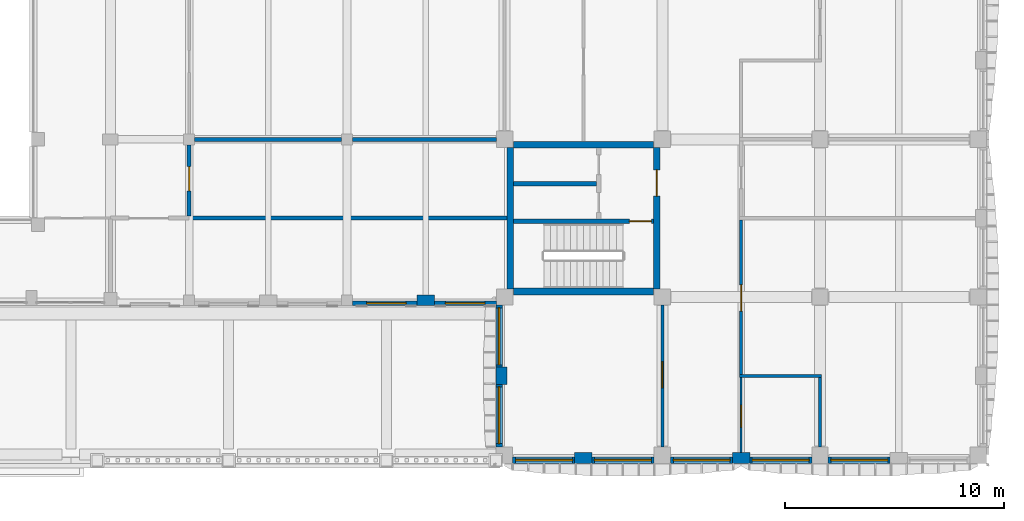
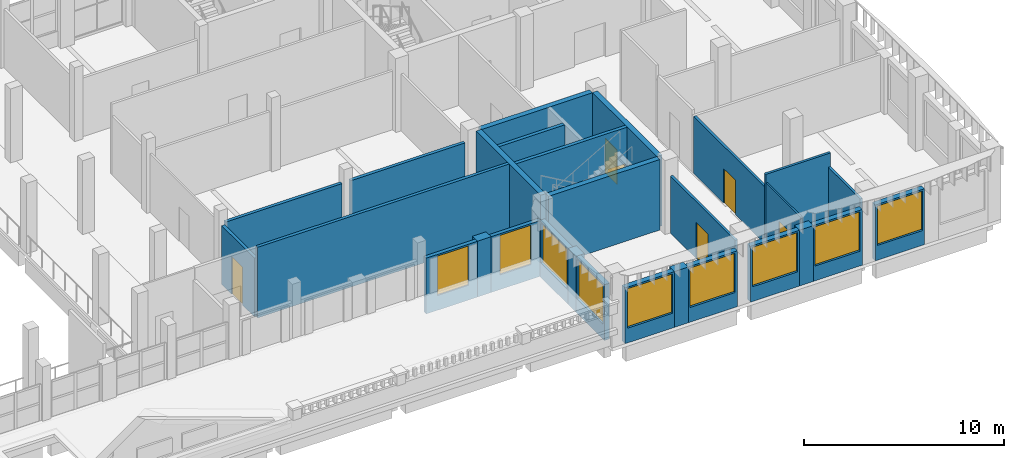
# One storey, part 22 of 58: 28 walls, 9 windows, 6 doors, 15 openings.
"""IFC4 building model written with IfcOpenShell, lengths in metres."""

from ifc_helpers import new_model, si_unit, direction, frame, frame_2d, origin, place, context, subcontext, project, spatial, rectangle, extrude, material, layer, layer_set, type_object, element, fill, save


model = new_model("IFC4")

# Units and contexts
model_context = context("Model", 3, precision=1e-05, world=origin(), true_north=direction((0.0, 1.0)))
body_context = subcontext(model_context, "Body", "Model", "MODEL_VIEW")
ifc_project = project(units=[si_unit("LENGTHUNIT", "METRE"), si_unit("AREAUNIT", "SQUARE_METRE"), si_unit("VOLUMEUNIT", "CUBIC_METRE"), si_unit("PLANEANGLEUNIT", "RADIAN"), si_unit("MASSUNIT", "GRAM", prefix="KILO")], contexts=[model_context])

# Site, building, storey
site_placement = place(None, origin())
site = spatial("IfcSite", under=ifc_project, at=site_placement, CompositionType="ELEMENT")
building_placement = place(site_placement, origin())
building = spatial("IfcBuilding", under=site, at=building_placement, Name="Ussher Court Research Institute", CompositionType="ELEMENT")
storey_placement = place(building_placement, frame((0.0, 0.0, 9.89990234375)))
storey = spatial("IfcBuildingStorey", under=building, at=storey_placement, Name="L02", CompositionType="ELEMENT", Elevation=9.89990234375)

# Walls
ifc_material_1 = material(Name="Plasterboard on steel studs with mineral wool", Category="steel")
ifc_layer_1 = layer(ifc_material_1, 0.179931640625)
ifc_layer_set_1 = layer_set([ifc_layer_1], Name="Plasterboard on steel studs with mineral wool")
wall_type_1 = type_object("IfcWallType", Name="Acoustic twin-stud partition 180", PredefinedType="PARTITIONING", material=ifc_layer_set_1)
wall_1_placement = place(storey_placement, frame((67.800048828125, 14.800048828125, 0.0), z_axis=(0.0, 0.0, 1.0), x_axis=(1.0, 0.0, 0.0)))
element("IfcWall", 1, at=wall_1_placement, inside=storey, type_object=wall_type_1, Name="Partition", PredefinedType="PARTITIONING", context=body_context, shape_type="SweptSolid", body=[
    extrude(rectangle(XDim=14.5, YDim=0.179931640625, at=frame_2d((7.25, 0.0))), origin(), (0.0, 0.0, 1.0), 4.300048828125),
])
wall_2_placement = place(storey_placement, frame((68.050048828125, 18.39990234375, 0.0), z_axis=(0.0, 0.0, 1.0), x_axis=(1.0, 0.0, 0.0)))
element("IfcWall", 2, at=wall_2_placement, inside=storey, type_object=wall_type_1, Name="Partition", PredefinedType="PARTITIONING", context=body_context, shape_type="SweptSolid", body=[
    extrude(rectangle(XDim=6.699951171875, YDim=0.179931640625, at=frame_2d((3.35009765625, 0.0))), origin(), (0.0, 0.0, 1.0), 3.570068359375),
])
wall_3_placement = place(storey_placement, frame((75.25, 18.39990234375, 0.0), z_axis=(0.0, 0.0, 1.0), x_axis=(1.0, 0.0, 0.0)))
element("IfcWall", 3, at=wall_3_placement, inside=storey, type_object=wall_type_1, Name="Partition", PredefinedType="PARTITIONING", context=body_context, shape_type="SweptSolid", body=[
    extrude(rectangle(XDim=6.574951171875, YDim=0.179931640625, at=frame_2d((3.28759765625, 0.0))), origin(), (0.0, 0.0, 1.0), 3.570068359375),
])

# Wall, opening, door
wall_4_placement = place(storey_placement, frame((67.800048828125, 18.14990234375, 0.0), z_axis=(0.0, 0.0, 1.0), x_axis=(0.0, -1.0, 0.0)))
wall_4 = element("IfcWall", 4, at=wall_4_placement, inside=storey, type_object=wall_type_1, Name="Partition", PredefinedType="PARTITIONING", context=body_context, shape_type="SweptSolid", body=[
    extrude(rectangle(XDim=3.260009765625, YDim=0.179931640625, at=frame_2d((1.6298828125, 0.0))), origin(), (0.0, 0.0, 1.0), 3.570068359375),
])
opening_1_placement = place(wall_4_placement, frame((1.0, 0.0, 0.0)))
opening_1 = element("IfcOpeningElement", 5, at=opening_1_placement, cuts=wall_4, Name="Opening D02032", PredefinedType="OPENING", context=body_context, shape_type="SweptSolid", body=[
    extrude(rectangle(XDim=1.10009765625, YDim=2.300048828125, at=frame_2d((0.550048828125, 1.14990234375))), frame((0.0, 0.10009765625, 0.0), z_axis=(0.0, -1.0, 0.0), x_axis=(1.0, 0.0, 0.0)), (0.0, 0.0, 1.0), 0.199951171875),
])
ifc_material_2 = material(Name="Veneered timber door", Category="wood")
door_type_1 = type_object("IfcDoorType", Name="Seminar room door 1100x2300", OperationType="NOTDEFINED", PredefinedType="DOOR", material=ifc_material_2)
door_1_placement = place(opening_1_placement, origin())
door_1 = element("IfcDoor", 6, at=door_1_placement, inside=storey, type_object=door_type_1, Name="Door D02032", OperationType="SINGLE_SWING_LEFT", OverallHeight=2.300048828125, OverallWidth=1.10009765625, PredefinedType="DOOR", context=body_context, shape_type="SweptSolid", body=[
    extrude(rectangle(XDim=1.10009765625, YDim=2.300048828125, at=frame_2d((0.550048828125, 1.14990234375))), frame((0.0, 0.02490234375, 0.0), z_axis=(0.0, -1.0, 0.0), x_axis=(1.0, 0.0, 0.0)), (0.0, 0.0, 1.0), 0.050048828125),
])
fill(opening_1, door_1)

# Wall, opening, window
ifc_material_3 = material(Name="Blockwork with cream render", Category="masonry")
ifc_layer_2 = layer(ifc_material_3, 0.300048828125)
ifc_layer_set_2 = layer_set([ifc_layer_2], Name="Blockwork with cream render")
wall_type_2 = type_object("IfcWallType", Name="External wall 300 cream render", PredefinedType="SOLIDWALL", material=ifc_layer_set_2)
wall_5_placement = place(storey_placement, frame((99.800048828125, 3.75, 0.0), z_axis=(0.0, 0.0, 1.0), x_axis=(-1.0, 0.0, 0.0)))
wall_5 = element("IfcWall", 7, at=wall_5_placement, inside=storey, type_object=wall_type_2, Name="External wall EW1 L02", PredefinedType="SOLIDWALL", context=body_context, shape_type="SweptSolid", body=[
    extrude(rectangle(XDim=2.824951171875, YDim=0.300048828125, at=frame_2d((1.41259765625, 0.0))), origin(), (0.0, 0.0, 1.0), 3.400146484375),
])
opening_2_placement = place(wall_5_placement, frame((0.10009765625, 0.0, 0.89990234375)))
opening_2 = element("IfcOpeningElement", 8, at=opening_2_placement, cuts=wall_5, Name="Opening W01", PredefinedType="OPENING", context=body_context, shape_type="SweptSolid", body=[
    extrude(rectangle(XDim=2.60009765625, YDim=2.39990234375, at=frame_2d((1.300048828125, 1.199951171875))), frame((0.0, 0.16015625, 0.0), z_axis=(0.0, -1.0, 0.0), x_axis=(1.0, 0.0, 0.0)), (0.0, 0.0, 1.0), 0.320068359375),
])
ifc_material_4 = material(Name="Bronze anodised aluminium with double glazing", Category="aluminium")
window_type_1 = type_object("IfcWindowType", Name="Laboratory bay window 2600x2400", PartitioningType="DOUBLE_PANEL_VERTICAL", PredefinedType="WINDOW", material=ifc_material_4)
window_1_placement = place(opening_2_placement, origin())
window_1 = element("IfcWindow", 9, at=window_1_placement, inside=storey, type_object=window_type_1, Name="Window W01 L02", OverallHeight=2.39990234375, OverallWidth=2.60009765625, PartitioningType="SINGLE_PANEL", PredefinedType="WINDOW", context=body_context, shape_type="SweptSolid", body=[
    extrude(rectangle(XDim=2.60009765625, YDim=2.39990234375, at=frame_2d((1.300048828125, 1.199951171875))), frame((0.0, 0.030029296875, 0.0), z_axis=(0.0, -1.0, 0.0), x_axis=(1.0, 0.0, 0.0)), (0.0, 0.0, 1.0), 0.06005859375),
])
fill(opening_2, window_1)

wall_6_placement = place(storey_placement, frame((96.22509765625, 3.75, 0.0), z_axis=(0.0, 0.0, 1.0), x_axis=(-1.0, 0.0, 0.0)))
wall_6 = element("IfcWall", 10, at=wall_6_placement, inside=storey, type_object=wall_type_2, Name="External wall EW1 L02", PredefinedType="SOLIDWALL", context=body_context, shape_type="SweptSolid", body=[
    extrude(rectangle(XDim=2.8251953125, YDim=0.300048828125, at=frame_2d((1.41259765625, 0.0))), origin(), (0.0, 0.0, 1.0), 3.400146484375),
])
opening_3_placement = place(wall_6_placement, frame((0.125, 0.0, 0.89990234375)))
opening_3 = element("IfcOpeningElement", 11, at=opening_3_placement, cuts=wall_6, Name="Opening W01", PredefinedType="OPENING", context=body_context, shape_type="SweptSolid", body=[
    extrude(rectangle(XDim=2.60009765625, YDim=2.39990234375, at=frame_2d((1.300048828125, 1.199951171875))), frame((0.0, 0.16015625, 0.0), z_axis=(0.0, -1.0, 0.0), x_axis=(1.0, 0.0, 0.0)), (0.0, 0.0, 1.0), 0.320068359375),
])
window_2_placement = place(opening_3_placement, origin())
window_2 = element("IfcWindow", 12, at=window_2_placement, inside=storey, type_object=window_type_1, Name="Window W01 L02", OverallHeight=2.39990234375, OverallWidth=2.60009765625, PartitioningType="SINGLE_PANEL", PredefinedType="WINDOW", context=body_context, shape_type="SweptSolid", body=[
    extrude(rectangle(XDim=2.60009765625, YDim=2.39990234375, at=frame_2d((1.300048828125, 1.199951171875))), frame((0.0, 0.030029296875, 0.0), z_axis=(0.0, -1.0, 0.0), x_axis=(1.0, 0.0, 0.0)), (0.0, 0.0, 1.0), 0.06005859375),
])
fill(opening_3, window_2)

wall_7_placement = place(storey_placement, frame((92.60009765625, 3.75, 0.0), z_axis=(0.0, 0.0, 1.0), x_axis=(-1.0, 0.0, 0.0)))
wall_7 = element("IfcWall", 13, at=wall_7_placement, inside=storey, type_object=wall_type_2, Name="External wall EW1 L02", PredefinedType="SOLIDWALL", context=body_context, shape_type="SweptSolid", body=[
    extrude(rectangle(XDim=2.8251953125, YDim=0.300048828125, at=frame_2d((1.41259765625, 0.0))), origin(), (0.0, 0.0, 1.0), 3.400146484375),
])
opening_4_placement = place(wall_7_placement, frame((0.10009765625, 0.0, 0.89990234375)))
opening_4 = element("IfcOpeningElement", 14, at=opening_4_placement, cuts=wall_7, Name="Opening W01", PredefinedType="OPENING", context=body_context, shape_type="SweptSolid", body=[
    extrude(rectangle(XDim=2.60009765625, YDim=2.39990234375, at=frame_2d((1.300048828125, 1.199951171875))), frame((0.0, 0.16015625, 0.0), z_axis=(0.0, -1.0, 0.0), x_axis=(1.0, 0.0, 0.0)), (0.0, 0.0, 1.0), 0.320068359375),
])
window_3_placement = place(opening_4_placement, origin())
window_3 = element("IfcWindow", 15, at=window_3_placement, inside=storey, type_object=window_type_1, Name="Window W01 L02", OverallHeight=2.39990234375, OverallWidth=2.60009765625, PartitioningType="SINGLE_PANEL", PredefinedType="WINDOW", context=body_context, shape_type="SweptSolid", body=[
    extrude(rectangle(XDim=2.60009765625, YDim=2.39990234375, at=frame_2d((1.300048828125, 1.199951171875))), frame((0.0, 0.030029296875, 0.0), z_axis=(0.0, -1.0, 0.0), x_axis=(1.0, 0.0, 0.0)), (0.0, 0.0, 1.0), 0.06005859375),
])
fill(opening_4, window_3)

wall_8_placement = place(storey_placement, frame((89.02490234375, 3.75, 0.0), z_axis=(0.0, 0.0, 1.0), x_axis=(-1.0, 0.0, 0.0)))
wall_8 = element("IfcWall", 16, at=wall_8_placement, inside=storey, type_object=wall_type_2, Name="External wall EW1 L02", PredefinedType="SOLIDWALL", context=body_context, shape_type="SweptSolid", body=[
    extrude(rectangle(XDim=2.824951171875, YDim=0.300048828125, at=frame_2d((1.41259765625, 0.0))), origin(), (0.0, 0.0, 1.0), 3.400146484375),
])
opening_5_placement = place(wall_8_placement, frame((0.125, 0.0, 0.89990234375)))
opening_5 = element("IfcOpeningElement", 17, at=opening_5_placement, cuts=wall_8, Name="Opening W01", PredefinedType="OPENING", context=body_context, shape_type="SweptSolid", body=[
    extrude(rectangle(XDim=2.60009765625, YDim=2.39990234375, at=frame_2d((1.300048828125, 1.199951171875))), frame((0.0, 0.16015625, 0.0), z_axis=(0.0, -1.0, 0.0), x_axis=(1.0, 0.0, 0.0)), (0.0, 0.0, 1.0), 0.320068359375),
])
window_4_placement = place(opening_5_placement, origin())
window_4 = element("IfcWindow", 18, at=window_4_placement, inside=storey, type_object=window_type_1, Name="Window W01 L02", OverallHeight=2.39990234375, OverallWidth=2.60009765625, PartitioningType="SINGLE_PANEL", PredefinedType="WINDOW", context=body_context, shape_type="SweptSolid", body=[
    extrude(rectangle(XDim=2.60009765625, YDim=2.39990234375, at=frame_2d((1.300048828125, 1.199951171875))), frame((0.0, 0.030029296875, 0.0), z_axis=(0.0, -1.0, 0.0), x_axis=(1.0, 0.0, 0.0)), (0.0, 0.0, 1.0), 0.06005859375),
])
fill(opening_5, window_4)

wall_9_placement = place(storey_placement, frame((85.39990234375, 3.75, 0.0), z_axis=(0.0, 0.0, 1.0), x_axis=(-1.0, 0.0, 0.0)))
wall_9 = element("IfcWall", 19, at=wall_9_placement, inside=storey, type_object=wall_type_2, Name="External wall EW1 L02", PredefinedType="SOLIDWALL", context=body_context, shape_type="SweptSolid", body=[
    extrude(rectangle(XDim=2.849853515625, YDim=0.300048828125, at=frame_2d((1.4248046875, 0.0))), origin(), (0.0, 0.0, 1.0), 3.400146484375),
])
opening_6_placement = place(wall_9_placement, frame((0.10009765625, 0.0, 0.89990234375)))
opening_6 = element("IfcOpeningElement", 20, at=opening_6_placement, cuts=wall_9, Name="Opening W01", PredefinedType="OPENING", context=body_context, shape_type="SweptSolid", body=[
    extrude(rectangle(XDim=2.60009765625, YDim=2.39990234375, at=frame_2d((1.300048828125, 1.199951171875))), frame((0.0, 0.16015625, 0.0), z_axis=(0.0, -1.0, 0.0), x_axis=(1.0, 0.0, 0.0)), (0.0, 0.0, 1.0), 0.320068359375),
])
window_5_placement = place(opening_6_placement, origin())
window_5 = element("IfcWindow", 21, at=window_5_placement, inside=storey, type_object=window_type_1, Name="Window W01 L02", OverallHeight=2.39990234375, OverallWidth=2.60009765625, PartitioningType="SINGLE_PANEL", PredefinedType="WINDOW", context=body_context, shape_type="SweptSolid", body=[
    extrude(rectangle(XDim=2.60009765625, YDim=2.39990234375, at=frame_2d((1.300048828125, 1.199951171875))), frame((0.0, 0.030029296875, 0.0), z_axis=(0.0, -1.0, 0.0), x_axis=(1.0, 0.0, 0.0)), (0.0, 0.0, 1.0), 0.06005859375),
])
fill(opening_6, window_5)

wall_10_placement = place(storey_placement, frame((81.949951171875, 4.35009765625, 0.0), z_axis=(0.0, 0.0, 1.0), x_axis=(0.0, 1.0, 0.0)))
wall_10 = element("IfcWall", 22, at=wall_10_placement, inside=storey, type_object=wall_type_2, Name="External wall EW1 L02", PredefinedType="SOLIDWALL", context=body_context, shape_type="SweptSolid", body=[
    extrude(rectangle(XDim=2.849853515625, YDim=0.300048828125, at=frame_2d((1.4248046875, 0.0))), origin(), (0.0, 0.0, 1.0), 3.400146484375),
])
opening_7_placement = place(wall_10_placement, frame((0.14990234375, 0.0, 0.89990234375)))
opening_7 = element("IfcOpeningElement", 23, at=opening_7_placement, cuts=wall_10, Name="Opening W01", PredefinedType="OPENING", context=body_context, shape_type="SweptSolid", body=[
    extrude(rectangle(XDim=2.60009765625, YDim=2.39990234375, at=frame_2d((1.300048828125, 1.199951171875))), frame((0.0, 0.16015625, 0.0), z_axis=(0.0, -1.0, 0.0), x_axis=(1.0, 0.0, 0.0)), (0.0, 0.0, 1.0), 0.320068359375),
])
window_6_placement = place(opening_7_placement, origin())
window_6 = element("IfcWindow", 24, at=window_6_placement, inside=storey, type_object=window_type_1, Name="Window W01 L02", OverallHeight=2.39990234375, OverallWidth=2.60009765625, PartitioningType="SINGLE_PANEL", PredefinedType="WINDOW", context=body_context, shape_type="SweptSolid", body=[
    extrude(rectangle(XDim=2.60009765625, YDim=2.39990234375, at=frame_2d((1.300048828125, 1.199951171875))), frame((0.0, 0.030029296875, 0.0), z_axis=(0.0, -1.0, 0.0), x_axis=(1.0, 0.0, 0.0)), (0.0, 0.0, 1.0), 0.06005859375),
])
fill(opening_7, window_6)

wall_11_placement = place(storey_placement, frame((81.949951171875, 8.0, 0.0), z_axis=(0.0, 0.0, 1.0), x_axis=(0.0, 1.0, 0.0)))
wall_11 = element("IfcWall", 25, at=wall_11_placement, inside=storey, type_object=wall_type_2, Name="External wall EW1 L02", PredefinedType="SOLIDWALL", context=body_context, shape_type="SweptSolid", body=[
    extrude(rectangle(XDim=2.824951171875, YDim=0.300048828125, at=frame_2d((1.41259765625, 0.0))), origin(), (0.0, 0.0, 1.0), 3.400146484375),
])
opening_8_placement = place(wall_11_placement, frame((0.10009765625, 0.0, 0.89990234375)))
opening_8 = element("IfcOpeningElement", 26, at=opening_8_placement, cuts=wall_11, Name="Opening W01", PredefinedType="OPENING", context=body_context, shape_type="SweptSolid", body=[
    extrude(rectangle(XDim=2.60009765625, YDim=2.39990234375, at=frame_2d((1.300048828125, 1.199951171875))), frame((0.0, 0.16015625, 0.0), z_axis=(0.0, -1.0, 0.0), x_axis=(1.0, 0.0, 0.0)), (0.0, 0.0, 1.0), 0.320068359375),
])
window_7_placement = place(opening_8_placement, origin())
window_7 = element("IfcWindow", 27, at=window_7_placement, inside=storey, type_object=window_type_1, Name="Window W01 L02", OverallHeight=2.39990234375, OverallWidth=2.60009765625, PartitioningType="SINGLE_PANEL", PredefinedType="WINDOW", context=body_context, shape_type="SweptSolid", body=[
    extrude(rectangle(XDim=2.60009765625, YDim=2.39990234375, at=frame_2d((1.300048828125, 1.199951171875))), frame((0.0, 0.030029296875, 0.0), z_axis=(0.0, -1.0, 0.0), x_axis=(1.0, 0.0, 0.0)), (0.0, 0.0, 1.0), 0.06005859375),
])
fill(opening_8, window_7)

# Wall
ifc_material_5 = material(Name="Plastered blockwork", Category="masonry")
ifc_layer_3 = layer(ifc_material_5, 0.139892578125)
ifc_layer_set_3 = layer_set([ifc_layer_3], Name="Plastered blockwork")
wall_type_3 = type_object("IfcWallType", Name="Laboratory blockwork partition 140", PredefinedType="PARTITIONING", material=ifc_layer_set_3)
wall_12_placement = place(storey_placement, frame((92.929931640625, 7.60009765625, 0.0), z_axis=(0.0, 0.0, 1.0), x_axis=(1.0, 0.0, 0.0)))
element("IfcWall", 28, at=wall_12_placement, inside=storey, type_object=wall_type_3, Name="Partition", PredefinedType="PARTITIONING", context=body_context, shape_type="SweptSolid", body=[
    extrude(rectangle(XDim=3.739990234375, YDim=0.139892578125, at=frame_2d((1.8701171875, 0.0))), origin(), (0.0, 0.0, 1.0), 4.300048828125),
])

# Wall, opening, door
wall_13_placement = place(storey_placement, frame((89.39990234375, 4.35009765625, 0.0), z_axis=(0.0, 0.0, 1.0), x_axis=(0.0, 1.0, 0.0)))
wall_13 = element("IfcWall", 29, at=wall_13_placement, inside=storey, type_object=wall_type_3, Name="Partition", PredefinedType="PARTITIONING", context=body_context, shape_type="SweptSolid", body=[
    extrude(rectangle(XDim=6.474853515625, YDim=0.139892578125, at=frame_2d((3.2373046875, 0.0))), origin(), (0.0, 0.0, 1.0), 3.47021484375),
])
opening_9_placement = place(wall_13_placement, frame((2.699951171875, 0.0, 0.0)))
opening_9 = element("IfcOpeningElement", 30, at=opening_9_placement, cuts=wall_13, Name="Opening D02057", PredefinedType="OPENING", context=body_context, shape_type="SweptSolid", body=[
    extrude(rectangle(XDim=1.199951171875, YDim=2.199951171875, at=frame_2d((0.60009765625, 1.10009765625))), frame((0.0, 0.080078125, 0.0), z_axis=(0.0, -1.0, 0.0), x_axis=(1.0, 0.0, 0.0)), (0.0, 0.0, 1.0), 0.159912109375),
])
ifc_material_6 = material(Name="Veneered timber door", Category="wood")
door_type_2 = type_object("IfcDoorType", Name="Containment laboratory door 1200x2200", OperationType="NOTDEFINED", PredefinedType="DOOR", material=ifc_material_6)
door_2_placement = place(opening_9_placement, origin())
door_2 = element("IfcDoor", 31, at=door_2_placement, inside=storey, type_object=door_type_2, Name="Door D02057", OperationType="SINGLE_SWING_RIGHT", OverallHeight=2.199951171875, OverallWidth=1.199951171875, PredefinedType="DOOR", context=body_context, shape_type="SweptSolid", body=[
    extrude(rectangle(XDim=1.199951171875, YDim=2.199951171875, at=frame_2d((0.60009765625, 1.10009765625))), frame((0.0, 0.02490234375, 0.0), z_axis=(0.0, -1.0, 0.0), x_axis=(1.0, 0.0, 0.0)), (0.0, 0.0, 1.0), 0.050048828125),
])
fill(opening_9, door_2)

wall_14_placement = place(storey_placement, frame((93.0, 14.72509765625, 0.0), z_axis=(0.0, 0.0, 1.0), x_axis=(0.0, -1.0, 0.0)))
wall_14 = element("IfcWall", 32, at=wall_14_placement, inside=storey, type_object=wall_type_3, Name="Partition", PredefinedType="PARTITIONING", context=body_context, shape_type="SweptSolid", body=[
    extrude(rectangle(XDim=7.05517578125, YDim=0.139892578125, at=frame_2d((3.527587890625, 0.0))), origin(), (0.0, 0.0, 1.0), 3.47021484375),
])
opening_10_placement = place(wall_14_placement, frame((2.97509765625, 0.0, 0.0)))
opening_10 = element("IfcOpeningElement", 33, at=opening_10_placement, cuts=wall_14, Name="Opening D02059", PredefinedType="OPENING", context=body_context, shape_type="SweptSolid", body=[
    extrude(rectangle(XDim=1.199951171875, YDim=2.10009765625, at=frame_2d((0.60009765625, 1.050048828125))), frame((0.0, 0.080078125, 0.0), z_axis=(0.0, -1.0, 0.0), x_axis=(1.0, 0.0, 0.0)), (0.0, 0.0, 1.0), 0.159912109375),
])
ifc_material_7 = material(Name="Veneered timber door", Category="wood")
door_type_3 = type_object("IfcDoorType", Name="Laboratory door 1200x2100", OperationType="NOTDEFINED", PredefinedType="DOOR", material=ifc_material_7)
door_3_placement = place(opening_10_placement, origin())
door_3 = element("IfcDoor", 34, at=door_3_placement, inside=storey, type_object=door_type_3, Name="Door D02059", OperationType="SINGLE_SWING_RIGHT", OverallHeight=2.10009765625, OverallWidth=1.199951171875, PredefinedType="DOOR", context=body_context, shape_type="SweptSolid", body=[
    extrude(rectangle(XDim=1.199951171875, YDim=2.10009765625, at=frame_2d((0.60009765625, 1.050048828125))), frame((0.0, 0.02490234375, 0.0), z_axis=(0.0, -1.0, 0.0), x_axis=(1.0, 0.0, 0.0)), (0.0, 0.0, 1.0), 0.050048828125),
])
fill(opening_10, door_3)

# Wall
wall_15_placement = place(storey_placement, frame((96.60009765625, 4.35009765625, 0.0), z_axis=(0.0, 0.0, 1.0), x_axis=(0.0, 1.0, 0.0)))
element("IfcWall", 35, at=wall_15_placement, inside=storey, type_object=wall_type_3, Name="Partition", PredefinedType="PARTITIONING", context=body_context, shape_type="SweptSolid", body=[
    extrude(rectangle(XDim=3.179931640625, YDim=0.139892578125, at=frame_2d((1.58984375, 0.0))), origin(), (0.0, 0.0, 1.0), 3.47021484375),
])

# Wall, opening, window
ifc_material_8 = material(Name="Limestone facing on insulated blockwork", Category="masonry")
ifc_layer_4 = layer(ifc_material_8, 0.219970703125)
ifc_layer_set_4 = layer_set([ifc_layer_4], Name="Limestone facing on insulated blockwork")
wall_type_4 = type_object("IfcWallType", Name="Link wall 220 limestone faced insulated block", PredefinedType="SOLIDWALL", material=ifc_layer_set_4)
wall_16_placement = place(storey_placement, frame((81.824951171875, 10.909912109375, 0.0), z_axis=(0.0, 0.0, 1.0), x_axis=(-1.0, 0.0, 0.0)))
wall_16 = element("IfcWall", 36, at=wall_16_placement, inside=storey, type_object=wall_type_4, Name="External wall EW6 L02", PredefinedType="SOLIDWALL", context=body_context, shape_type="SweptSolid", body=[
    extrude(rectangle(XDim=2.824951171875, YDim=0.219970703125, at=frame_2d((1.41259765625, 0.0))), origin(), (0.0, 0.0, 1.0), 3.400146484375),
])
opening_11_placement = place(wall_16_placement, frame((0.52490234375, 0.0, 0.89990234375)))
opening_11 = element("IfcOpeningElement", 37, at=opening_11_placement, cuts=wall_16, Name="Opening W05", PredefinedType="OPENING", context=body_context, shape_type="SweptSolid", body=[
    extrude(rectangle(XDim=1.800048828125, YDim=2.39990234375, at=frame_2d((0.89990234375, 1.199951171875))), frame((0.0, 0.1201171875, 0.0), z_axis=(0.0, -1.0, 0.0), x_axis=(1.0, 0.0, 0.0)), (0.0, 0.0, 1.0), 0.239990234375),
])
ifc_material_9 = material(Name="Bronze anodised aluminium with double glazing", Category="aluminium")
window_type_2 = type_object("IfcWindowType", Name="Reading link window 1800x2400", PartitioningType="DOUBLE_PANEL_VERTICAL", PredefinedType="WINDOW", material=ifc_material_9)
window_8_placement = place(opening_11_placement, origin())
window_8 = element("IfcWindow", 38, at=window_8_placement, inside=storey, type_object=window_type_2, Name="Window W05 L02", OverallHeight=2.39990234375, OverallWidth=1.800048828125, PartitioningType="SINGLE_PANEL", PredefinedType="WINDOW", context=body_context, shape_type="SweptSolid", body=[
    extrude(rectangle(XDim=1.800048828125, YDim=2.39990234375, at=frame_2d((0.89990234375, 1.199951171875))), frame((0.0, 0.030029296875, 0.0), z_axis=(0.0, -1.0, 0.0), x_axis=(1.0, 0.0, 0.0)), (0.0, 0.0, 1.0), 0.06005859375),
])
fill(opening_11, window_8)

wall_17_placement = place(storey_placement, frame((78.199951171875, 10.909912109375, 0.0), z_axis=(0.0, 0.0, 1.0), x_axis=(-1.0, 0.0, 0.0)))
wall_17 = element("IfcWall", 39, at=wall_17_placement, inside=storey, type_object=wall_type_4, Name="External wall EW6 L02", PredefinedType="SOLIDWALL", context=body_context, shape_type="SweptSolid", body=[
    extrude(rectangle(XDim=2.949951171875, YDim=0.219970703125, at=frame_2d((1.47509765625, 0.0))), origin(), (0.0, 0.0, 1.0), 3.400146484375),
])
opening_12_placement = place(wall_17_placement, frame((0.5, 0.0, 0.89990234375)))
opening_12 = element("IfcOpeningElement", 40, at=opening_12_placement, cuts=wall_17, Name="Opening W05", PredefinedType="OPENING", context=body_context, shape_type="SweptSolid", body=[
    extrude(rectangle(XDim=1.800048828125, YDim=2.39990234375, at=frame_2d((0.89990234375, 1.199951171875))), frame((0.0, 0.1201171875, 0.0), z_axis=(0.0, -1.0, 0.0), x_axis=(1.0, 0.0, 0.0)), (0.0, 0.0, 1.0), 0.239990234375),
])
window_9_placement = place(opening_12_placement, origin())
window_9 = element("IfcWindow", 41, at=window_9_placement, inside=storey, type_object=window_type_2, Name="Window W05 L02", OverallHeight=2.39990234375, OverallWidth=1.800048828125, PartitioningType="SINGLE_PANEL", PredefinedType="WINDOW", context=body_context, shape_type="SweptSolid", body=[
    extrude(rectangle(XDim=1.800048828125, YDim=2.39990234375, at=frame_2d((0.89990234375, 1.199951171875))), frame((0.0, 0.030029296875, 0.0), z_axis=(0.0, -1.0, 0.0), x_axis=(1.0, 0.0, 0.0)), (0.0, 0.0, 1.0), 0.06005859375),
])
fill(opening_12, window_9)

# Walls
ifc_material_10 = material(Name="Blockwork with cream render", Category="masonry")
ifc_layer_5 = layer(ifc_material_10, 0.5)
ifc_layer_set_5 = layer_set([ifc_layer_5], Name="Blockwork with cream render")
wall_type_5 = type_object("IfcWallType", Name="Pier 800x500 cream render", PredefinedType="SOLIDWALL", material=ifc_layer_set_5)
wall_18_placement = place(storey_placement, frame((93.39990234375, 3.85009765625, 0.0), z_axis=(0.0, 0.0, 1.0), x_axis=(-1.0, 0.0, 0.0)))
element("IfcWall", 42, at=wall_18_placement, inside=storey, type_object=wall_type_5, Name="Pier PR1 L02", PredefinedType="SOLIDWALL", context=body_context, shape_type="SweptSolid", body=[
    extrude(rectangle(XDim=0.7998046875, YDim=0.5, at=frame_2d((0.39990234375, 0.0))), origin(), (0.0, 0.0, 1.0), 3.400146484375),
])
for number, where, z_axis, x_axis, name in (
    (43, (86.199951171875, 3.85009765625, 0.0), (0.0, 0.0, 1.0), (-1.0, 0.0, 0.0), "Pier PR1 L02"),
    (44, (82.050048828125, 7.199951171875, 0.0), (0.0, 0.0, 1.0), (0.0, 1.0, 0.0), "Pier PR1 L02"),
):
    element("IfcWall", number, at=place(storey_placement, frame(where, z_axis=z_axis, x_axis=x_axis)), inside=storey, type_object=wall_type_5, Name=name, PredefinedType="SOLIDWALL", context=body_context, shape_type="SweptSolid", body=[
        extrude(rectangle(XDim=0.800048828125, YDim=0.5, at=frame_2d((0.39990234375, 0.0))), origin(), (0.0, 0.0, 1.0), 3.400146484375),
    ])
ifc_material_11 = material(Name="Rusticated limestone facing on blockwork", Category="masonry")
ifc_layer_6 = layer(ifc_material_11, 0.5)
ifc_layer_set_6 = layer_set([ifc_layer_6], Name="Rusticated limestone facing on blockwork")
wall_type_6 = type_object("IfcWallType", Name="Pier 800x500 rusticated limestone", PredefinedType="SOLIDWALL", material=ifc_layer_set_6)
wall_19_placement = place(storey_placement, frame((79.0, 11.050048828125, 0.0), z_axis=(0.0, 0.0, 1.0), x_axis=(-1.0, 0.0, 0.0)))
element("IfcWall", 45, at=wall_19_placement, inside=storey, type_object=wall_type_6, Name="Pier PR2 L02", PredefinedType="SOLIDWALL", context=body_context, shape_type="SweptSolid", body=[
    extrude(rectangle(XDim=0.800048828125, YDim=0.5, at=frame_2d((0.39990234375, 0.0))), origin(), (0.0, 0.0, 1.0), 3.400146484375),
])

# Wall, opening, door
ifc_material_12 = material(Name="Concrete C35/45", Category="concrete")
ifc_layer_7 = layer(ifc_material_12, 0.199951171875)
ifc_layer_set_7 = layer_set([ifc_layer_7], Name="Concrete C35/45")
wall_type_7 = type_object("IfcWallType", Name="RC core wall 200", PredefinedType="SHEAR", material=ifc_layer_set_7)
wall_20_placement = place(storey_placement, frame((89.0, 14.64990234375, 0.0), z_axis=(0.0, 0.0, 1.0), x_axis=(-1.0, 0.0, 0.0)))
wall_20 = element("IfcWall", 46, at=wall_20_placement, inside=storey, type_object=wall_type_7, Name="Core wall T2", PredefinedType="SHEAR", context=body_context, shape_type="SweptSolid", body=[
    extrude(rectangle(XDim=6.39990234375, YDim=0.199951171875, at=frame_2d((3.199951171875, 0.0))), origin(), (0.0, 0.0, 1.0), 4.300048828125),
])
opening_13_placement = place(wall_20_placement, frame((0.10009765625, 0.0, 0.0)))
opening_13 = element("IfcOpeningElement", 47, at=opening_13_placement, cuts=wall_20, Name="Opening D02054", PredefinedType="OPENING", context=body_context, shape_type="SweptSolid", body=[
    extrude(rectangle(XDim=1.0, YDim=2.10009765625, at=frame_2d((0.5, 1.050048828125))), frame((0.0, 0.10986328125, 0.0), z_axis=(0.0, -1.0, 0.0), x_axis=(1.0, 0.0, 0.0)), (0.0, 0.0, 1.0), 0.219970703125),
])
ifc_material_13 = material(Name="Painted steel faced fire door", Category="steel")
door_type_4 = type_object("IfcDoorType", Name="Fire door 1000x2100 FD60", OperationType="NOTDEFINED", PredefinedType="DOOR", material=ifc_material_13)
door_4_placement = place(opening_13_placement, origin())
door_4 = element("IfcDoor", 48, at=door_4_placement, inside=storey, type_object=door_type_4, Name="Door D02054", OperationType="SINGLE_SWING_LEFT", OverallHeight=2.10009765625, OverallWidth=1.0, PredefinedType="DOOR", context=body_context, shape_type="SweptSolid", body=[
    extrude(rectangle(XDim=1.0, YDim=2.10009765625, at=frame_2d((0.5, 1.050048828125))), frame((0.0, 0.02490234375, 0.0), z_axis=(0.0, -1.0, 0.0), x_axis=(1.0, 0.0, 0.0)), (0.0, 0.0, 1.0), 0.050048828125),
])
fill(opening_13, door_4)

# Wall
wall_21_placement = place(storey_placement, frame((82.60009765625, 16.375, 0.0), z_axis=(0.0, 0.0, 1.0), x_axis=(1.0, 0.0, 0.0)))
element("IfcWall", 49, at=wall_21_placement, inside=storey, type_object=wall_type_7, Name="Core wall T2", PredefinedType="SHEAR", context=body_context, shape_type="SweptSolid", body=[
    extrude(rectangle(XDim=3.7998046875, YDim=0.199951171875, at=frame_2d((1.89990234375, 0.0))), origin(), (0.0, 0.0, 1.0), 4.300048828125),
])

# Wall, opening, door
ifc_material_14 = material(Name="Concrete C35/45", Category="concrete")
ifc_layer_8 = layer(ifc_material_14, 0.300048828125)
ifc_layer_set_8 = layer_set([ifc_layer_8], Name="Concrete C35/45")
wall_type_8 = type_object("IfcWallType", Name="RC core wall 300", PredefinedType="SHEAR", material=ifc_layer_set_8)
wall_22_placement = place(storey_placement, frame((89.14990234375, 11.574951171875, 0.0), z_axis=(0.0, 0.0, 1.0), x_axis=(0.0, 1.0, 0.0)))
wall_22 = element("IfcWall", 50, at=wall_22_placement, inside=storey, type_object=wall_type_8, Name="Core wall T2", PredefinedType="SHEAR", context=body_context, shape_type="SweptSolid", body=[
    extrude(rectangle(XDim=6.449951171875, YDim=0.300048828125, at=frame_2d((3.22509765625, 0.0))), origin(), (0.0, 0.0, 1.0), 4.300048828125),
])
opening_14_placement = place(wall_22_placement, frame((4.22509765625, 0.0, 0.0)))
opening_14 = element("IfcOpeningElement", 51, at=opening_14_placement, cuts=wall_22, Name="Opening D02056", PredefinedType="OPENING", context=body_context, shape_type="SweptSolid", body=[
    extrude(rectangle(XDim=1.199951171875, YDim=2.10009765625, at=frame_2d((0.60009765625, 1.050048828125))), frame((0.0, 0.16015625, 0.0), z_axis=(0.0, -1.0, 0.0), x_axis=(1.0, 0.0, 0.0)), (0.0, 0.0, 1.0), 0.320068359375),
])
ifc_material_15 = material(Name="Painted steel faced fire door", Category="steel")
door_type_5 = type_object("IfcDoorType", Name="Fire door 1200x2100 FD60", OperationType="NOTDEFINED", PredefinedType="DOOR", material=ifc_material_15)
door_5_placement = place(opening_14_placement, origin())
door_5 = element("IfcDoor", 52, at=door_5_placement, inside=storey, type_object=door_type_5, Name="Door D02056", OperationType="SINGLE_SWING_RIGHT", OverallHeight=2.10009765625, OverallWidth=1.199951171875, PredefinedType="DOOR", context=body_context, shape_type="SweptSolid", body=[
    extrude(rectangle(XDim=1.199951171875, YDim=2.10009765625, at=frame_2d((0.60009765625, 1.050048828125))), frame((0.0, 0.02490234375, 0.0), z_axis=(0.0, -1.0, 0.0), x_axis=(1.0, 0.0, 0.0)), (0.0, 0.0, 1.0), 0.050048828125),
])
fill(opening_14, door_5)

# Walls
wall_23_placement = place(storey_placement, frame((82.449951171875, 11.574951171875, 0.0), z_axis=(0.0, 0.0, 1.0), x_axis=(0.0, 1.0, 0.0)))
element("IfcWall", 53, at=wall_23_placement, inside=storey, type_object=wall_type_8, Name="Core wall T2", PredefinedType="SHEAR", context=body_context, shape_type="SweptSolid", body=[
    extrude(rectangle(XDim=6.449951171875, YDim=0.300048828125, at=frame_2d((3.22509765625, 0.0))), origin(), (0.0, 0.0, 1.0), 4.300048828125),
])
for number, where, z_axis, x_axis, name in (
    (54, (82.60009765625, 11.449951171875, 0.0), (0.0, 0.0, 1.0), (1.0, 0.0, 0.0), "Core wall T2"),
    (55, (82.60009765625, 18.14990234375, 0.0), (0.0, 0.0, 1.0), (1.0, 0.0, 0.0), "Core wall T2"),
):
    element("IfcWall", number, at=place(storey_placement, frame(where, z_axis=z_axis, x_axis=x_axis)), inside=storey, type_object=wall_type_8, Name=name, PredefinedType="SHEAR", context=body_context, shape_type="SweptSolid", body=[
        extrude(rectangle(XDim=6.39990234375, YDim=0.300048828125, at=frame_2d((3.199951171875, 0.0))), origin(), (0.0, 0.0, 1.0), 4.300048828125),
    ])

# Wall, opening, door
ifc_material_16 = material(Name="Moisture-resistant board on steel studs", Category="steel")
ifc_layer_9 = layer(ifc_material_16, 0.090087890625)
ifc_layer_set_9 = layer_set([ifc_layer_9], Name="Moisture-resistant board on steel studs")
wall_type_9 = type_object("IfcWallType", Name="WC lining partition 90", PredefinedType="PARTITIONING", material=ifc_layer_set_9)
wall_24_placement = place(storey_placement, frame((93.0, 7.530029296875, 0.0), z_axis=(0.0, 0.0, 1.0), x_axis=(0.0, -1.0, 0.0)))
wall_24 = element("IfcWall", 56, at=wall_24_placement, inside=storey, type_object=wall_type_9, Name="Partition", PredefinedType="PARTITIONING", context=body_context, shape_type="SweptSolid", body=[
    extrude(rectangle(XDim=3.429931640625, YDim=0.090087890625, at=frame_2d((1.71484375, 0.0))), origin(), (0.0, 0.0, 1.0), 3.77001953125),
])
opening_15_placement = place(wall_24_placement, frame((1.280029296875, 0.0, 0.0)))
opening_15 = element("IfcOpeningElement", 57, at=opening_15_placement, cuts=wall_24, Name="Opening D02058", PredefinedType="OPENING", context=body_context, shape_type="SweptSolid", body=[
    extrude(rectangle(XDim=1.0, YDim=2.199951171875, at=frame_2d((0.5, 1.10009765625))), frame((0.0, 0.05517578125, 0.0), z_axis=(0.0, -1.0, 0.0), x_axis=(1.0, 0.0, 0.0)), (0.0, 0.0, 1.0), 0.110107421875),
])
ifc_material_17 = material(Name="Veneered timber door", Category="wood")
door_type_6 = type_object("IfcDoorType", Name="Accessible WC door 1000x2200", OperationType="NOTDEFINED", PredefinedType="DOOR", material=ifc_material_17)
door_6_placement = place(opening_15_placement, origin())
door_6 = element("IfcDoor", 58, at=door_6_placement, inside=storey, type_object=door_type_6, Name="Door D02058", OperationType="SINGLE_SWING_RIGHT", OverallHeight=2.199951171875, OverallWidth=1.0, PredefinedType="DOOR", context=body_context, shape_type="SweptSolid", body=[
    extrude(rectangle(XDim=1.0, YDim=2.199951171875, at=frame_2d((0.5, 1.10009765625))), frame((0.0, 0.02490234375, 0.0), z_axis=(0.0, -1.0, 0.0), x_axis=(1.0, 0.0, 0.0)), (0.0, 0.0, 1.0), 0.050048828125),
])
fill(opening_15, door_6)

save(model, "model.ifc")
